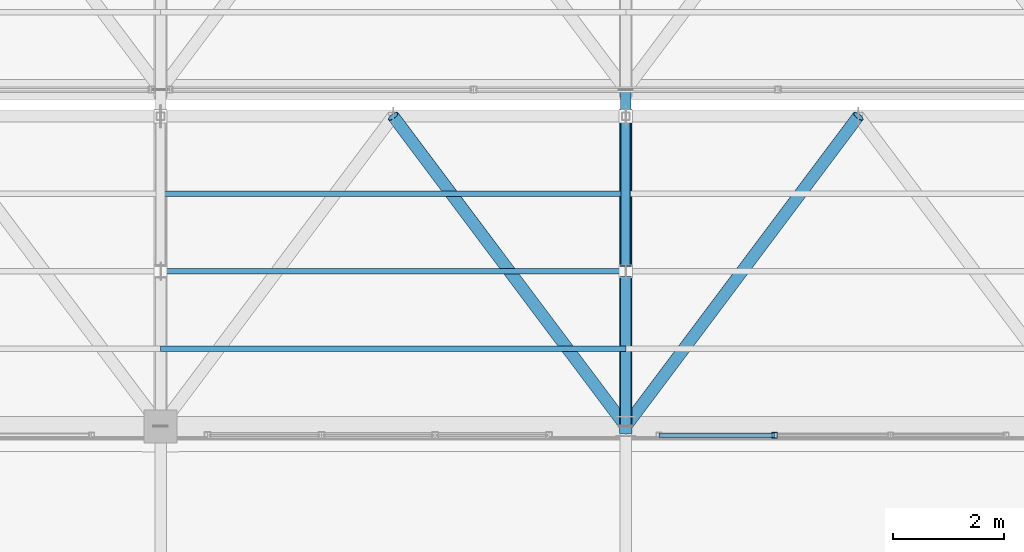
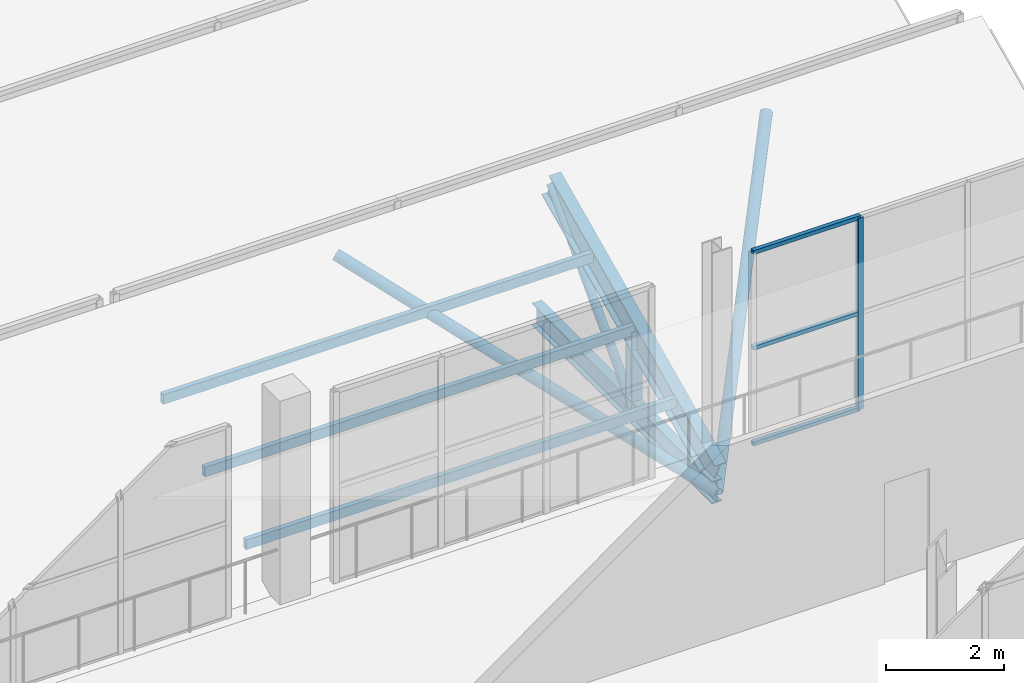
# One storey, part 97 of 217: 13 members, 1 element without a shape of its own.
"""IFC4 building model written with IfcOpenShell, lengths in metres."""

import ifcopenshell
import ifcopenshell.guid

model = None  # the IFC model being written
_history = None  # IfcOwnerHistory: only IFC2X3 demands one
_inside = {}  # id of a spatial element -> (the spatial element, [elements in it])
_under = {}  # id of a project, library or spatial element -> (it, [spatial elements below it])
_declared = {}  # id of a project -> (the project, [libraries it declares])
_typed = {}  # id of a type object -> (the type object, [elements of that type])
_made_of = {}  # id of a material, layer set ... -> (it, [elements and type objects made of it])


def new_model(schema):
    """Start an empty IFC model of exactly this schema.

    Asked for "IFC4X3", IfcOpenShell would pick the latest addendum, in which some entities
    have other attributes; the version numbers below select the first issue.
    IFC2X3 requires an IfcOwnerHistory on every rooted entity: one is made here for all.
    """
    global model, _history
    if schema == "IFC4X3":
        model = ifcopenshell.file(schema_version=(4, 3, 0, 0))
    else:
        model = ifcopenshell.file(schema=schema)
    _inside.clear()
    _under.clear()
    _declared.clear()
    _typed.clear()
    _made_of.clear()
    _history = None
    if model.schema == "IFC2X3":
        org = make("IfcOrganization", Name="unknown")
        user = make(
            "IfcPersonAndOrganization",
            ThePerson=make("IfcPerson", FamilyName="unknown"),
            TheOrganization=org,
        )
        app = make(
            "IfcApplication",
            ApplicationDeveloper=org,
            Version="unknown",
            ApplicationFullName="unknown",
            ApplicationIdentifier="unknown",
        )
        _history = make(
            "IfcOwnerHistory",
            OwningUser=user,
            OwningApplication=app,
            ChangeAction="ADDED",
            CreationDate=0,
        )
    return model


def make(cls, **values):
    """One entity of the class cls with the attributes given. An attribute that is None is left unset."""
    return model.create_entity(
        cls, **{name: value for name, value in values.items() if value is not None}
    )


def rooted(cls, **values):
    """An entity with a GlobalId (a new one), such as an element, a storey or a relation."""
    return make(cls, GlobalId=ifcopenshell.guid.new(), OwnerHistory=_history, **values)


def si_unit(unit_type, name, prefix=None):
    """IfcSIUnit, for example si_unit("LENGTHUNIT", "METRE", prefix="MILLI")."""
    return make("IfcSIUnit", UnitType=unit_type, Prefix=prefix, Name=name)


def assignment(units):
    """IfcUnitAssignment: the units of a project."""
    return None if units is None else make("IfcUnitAssignment", Units=units)


def point(xyz):
    """IfcCartesianPoint."""
    return None if xyz is None else make("IfcCartesianPoint", Coordinates=xyz)


def direction(xyz):
    """IfcDirection."""
    return None if xyz is None else make("IfcDirection", DirectionRatios=xyz)


def frame(location, z_axis=None, x_axis=None):
    """IfcAxis2Placement3D, a coordinate frame: its origin and axes. An axis left out is left unset."""
    return make(
        "IfcAxis2Placement3D",
        Location=point(location),
        Axis=direction(z_axis),
        RefDirection=direction(x_axis),
    )


def frame_2d(location, x_axis=None):
    """IfcAxis2Placement2D, a coordinate frame in the plane: its origin and x axis."""
    return make(
        "IfcAxis2Placement2D", Location=point(location), RefDirection=direction(x_axis)
    )


def origin():
    """The frame at (0, 0, 0) with its axes left unset."""
    return frame((0.0, 0.0, 0.0))


def origin_2d():
    """The frame at (0, 0) in the plane with its x axis left unset."""
    return frame_2d((0.0, 0.0))


def place(relative_to, where):
    """IfcLocalPlacement: puts the frame where relative to a parent placement (None: the world)."""
    return make(
        "IfcLocalPlacement", PlacementRelTo=relative_to, RelativePlacement=where
    )


def context(
    kind, dimensions, precision=None, world=None, true_north=None, identifier=None
):
    """IfcGeometricRepresentationContext, for example the 3D "Model" context."""
    return make(
        "IfcGeometricRepresentationContext",
        ContextIdentifier=identifier,
        ContextType=kind,
        CoordinateSpaceDimension=dimensions,
        Precision=precision,
        WorldCoordinateSystem=world,
        TrueNorth=true_north,
    )


def subcontext(parent, identifier, kind, view, scale=None):
    """IfcGeometricRepresentationSubContext, for example "Body" below "Model"."""
    return make(
        "IfcGeometricRepresentationSubContext",
        ContextIdentifier=identifier,
        ContextType=kind,
        ParentContext=parent,
        TargetScale=scale,
        TargetView=view,
    )


def project(units=None, contexts=None):
    """IfcProject with its units and contexts."""
    return rooted(
        "IfcProject",
        Name="project",
        RepresentationContexts=contexts,
        UnitsInContext=assignment(units),
    )


def spatial(cls, under=None, at=None, **own):
    """A site, building, storey or space (cls), placed at a placement, below another one or the project."""
    s = rooted(cls, ObjectPlacement=at, **own)
    if under is not None:
        _under.setdefault(under.id(), (under, []))[1].append(s)
    return s


def profile(cls, at=None, kind="AREA", **sizes):
    """A parametric profile (cls). Its sizes go by their IFC names, for example OverallWidth=200.0."""
    return make(cls, ProfileType=kind, Position=at, **sizes)


def hollow_rectangle(**sizes):
    """IfcRectangleHollowProfileDef."""
    return profile("IfcRectangleHollowProfileDef", **sizes)


def hollow_circle(**sizes):
    """IfcCircleHollowProfileDef."""
    return profile("IfcCircleHollowProfileDef", **sizes)


def i_section(**sizes):
    """IfcIShapeProfileDef."""
    return profile("IfcIShapeProfileDef", **sizes)


def extrude(swept, where, along, depth):
    """IfcExtrudedAreaSolid: the profile swept, set in the frame where, extruded along a direction by depth."""
    return make(
        "IfcExtrudedAreaSolid",
        SweptArea=swept,
        Position=where,
        ExtrudedDirection=direction(along),
        Depth=depth,
    )


def shape(context_of_items, identifier, shape_type, items):
    """IfcShapeRepresentation: the items that make up one representation, for example the "Body"."""
    return make(
        "IfcShapeRepresentation",
        ContextOfItems=context_of_items,
        RepresentationIdentifier=identifier,
        RepresentationType=shape_type,
        Items=items,
    )


def material(Name=None, Category=None):
    """IfcMaterial."""
    return make("IfcMaterial", Name=Name, Category=Category)


def material_profile(
    of_material, cross_section, Name=None, Category=None, Priority=None
):
    """IfcMaterialProfile: a cross section and its material."""
    return make(
        "IfcMaterialProfile",
        Name=Name,
        Material=of_material,
        Profile=cross_section,
        Priority=Priority,
        Category=Category,
    )


def profile_set(profiles, Name=None, composite=None):
    """IfcMaterialProfileSet."""
    return make(
        "IfcMaterialProfileSet",
        Name=Name,
        MaterialProfiles=profiles,
        CompositeProfile=composite,
    )


def made_of(thing, what):
    """Note that an element or type object is made of a material, layer set ...; save() writes the relation."""
    if what is not None:
        _made_of.setdefault(what.id(), (what, []))[1].append(thing)
    return thing


def type_object(cls, material=None, **own):
    """A type object (cls), such as IfcWallType, which elements share."""
    return made_of(rooted(cls, **own), material)


def element(
    cls,
    number,
    at=None,
    inside=None,
    cuts=None,
    type_object=None,
    material=None,
    context=None,
    identifier="Body",
    shape_type=None,
    held_by="IfcProductDefinitionShape",
    body=None,
    shapes=None,
    **own,
):
    """One element of the class cls, such as IfcWall. Its Tag is "e" and its number.

    at: its placement. inside: the storey or other place that contains it. cuts: it is an
    opening in that element (IfcRelVoidsElement). A single representation is given by context,
    identifier, shape_type and body (its items); several are given by shapes. held_by: the class
    of the entity that holds the representations. save() writes the other relations.
    """
    e = rooted(cls, Tag="e%d" % number, ObjectPlacement=at, **own)
    if body is not None:
        shapes = [shape(context, identifier, shape_type, body)]
    if shapes is not None:
        e.Representation = make(held_by, Representations=shapes)
    if inside is not None:
        _inside.setdefault(inside.id(), (inside, []))[1].append(e)
    if cuts is not None:
        rooted(
            "IfcRelVoidsElement", RelatingBuildingElement=cuts, RelatedOpeningElement=e
        )
    if type_object is not None:
        _typed.setdefault(type_object.id(), (type_object, []))[1].append(e)
    return made_of(e, material)


def aggregate(whole, parts):
    """IfcRelAggregates: a whole, such as a stair, and the parts it consists of."""
    return rooted("IfcRelAggregates", RelatingObject=whole, RelatedObjects=parts)


def save(model, path):
    """Write the relations noted so far, then the file.

    IfcRelAggregates (storeys below a building ...), IfcRelContainedInSpatialStructure (elements
    in a storey), IfcRelDefinesByType, IfcRelAssociatesMaterial and IfcRelDeclares: one each for
    every whole, place, type object, material and project.
    """
    for whole, parts in _under.values():
        aggregate(whole, parts)
    for where, things in _inside.values():
        rooted(
            "IfcRelContainedInSpatialStructure",
            RelatedElements=things,
            RelatingStructure=where,
        )
    for kind, things in _typed.values():
        rooted("IfcRelDefinesByType", RelatedObjects=things, RelatingType=kind)
    for what, things in _made_of.values():
        rooted("IfcRelAssociatesMaterial", RelatedObjects=things, RelatingMaterial=what)
    for by, libraries in _declared.values():
        rooted("IfcRelDeclares", RelatingContext=by, RelatedDefinitions=libraries)
    model.write(path)


model = new_model("IFC4")

# Units and contexts
model_context = context("Model", 3, precision=1e-05, world=origin(), true_north=direction((0.0, 1.0)))
body_context = subcontext(model_context, "Body", "Model", "MODEL_VIEW")
ifc_project = project(units=[si_unit("LENGTHUNIT", "METRE"), si_unit("AREAUNIT", "SQUARE_METRE"), si_unit("VOLUMEUNIT", "CUBIC_METRE"), si_unit("PLANEANGLEUNIT", "RADIAN"), si_unit("MASSUNIT", "GRAM", prefix="KILO")], contexts=[model_context])

# Site, building, storey
site_placement = place(None, origin())
site = spatial("IfcSite", under=ifc_project, at=site_placement, CompositionType="ELEMENT")
building_placement = place(site_placement, origin())
building = spatial("IfcBuilding", under=site, at=building_placement, Name="Zuvorla Pavilion Media Centre", CompositionType="ELEMENT")
storey_placement = place(building_placement, frame((0.0, 0.0, 9.60009765625)))
storey = spatial("IfcBuildingStorey", under=building, at=storey_placement, Name="L02", CompositionType="ELEMENT", Elevation=9.60009765625)

# Curtain wall, members
ifc_material_1 = material(Name="Unitised anodised aluminium and solar glass curtain wall", Category="aluminium")
curtain_wall_type = type_object("IfcCurtainWallType", Name="CW-SYS-10", PredefinedType="USERDEFINED", material=ifc_material_1)
curtain_wall_placement = place(storey_placement, origin())
curtain_wall = element("IfcCurtainWall", 1, at=curtain_wall_placement, inside=storey, type_object=curtain_wall_type, Name="L02 curtain wall CW10 15", ObjectType="CURTAIN WALL", PredefinedType="USERDEFINED")
ifc_material_2 = material(Name="Anodised aluminium 6063-T6", Category="aluminium")
ifc_material_profile_1 = material_profile(ifc_material_2, hollow_rectangle(XDim=0.10009765625, YDim=0.10009765625, WallThickness=0.00439453125, at=origin_2d()), Name="ALU MULL 100x100")
ifc_profile_set_1 = profile_set([ifc_material_profile_1], Name="Anodised aluminium 6063-T6")
member_type_1 = type_object("IfcMemberType", Name="CW-MULL-100", PredefinedType="MULLION", material=ifc_profile_set_1)
member_1_placement = place(storey_placement, frame((128.28955078125, 89.43994140625, 0.0), z_axis=(0.0, 0.0, 1.0), x_axis=(1.0, 0.0, 0.0)))
member_1 = element("IfcMember", 2, at=member_1_placement, type_object=member_type_1, Name="CW10 mullion 3", PredefinedType="MULLION", context=body_context, shape_type="SweptSolid", body=[
    extrude(hollow_rectangle(XDim=0.10009765625, YDim=0.10009765625, WallThickness=0.00439453125, at=origin_2d()), origin(), (0.0, 0.0, 1.0), 3.949951171875),
])
ifc_material_profile_2 = material_profile(ifc_material_2, hollow_rectangle(XDim=0.080078125, YDim=0.080078125, WallThickness=0.00390625, at=origin_2d()), Name="ALU TRAN 80x80")
ifc_profile_set_2 = profile_set([ifc_material_profile_2], Name="Anodised aluminium 6063-T6")
member_type_2 = type_object("IfcMemberType", Name="CW-TRAN-80", PredefinedType="USERDEFINED", material=ifc_profile_set_2)
member_2_placement = place(storey_placement, frame((128.28955078125, 89.43994140625, 0.0), z_axis=(-1.0, 0.0, 0.0), x_axis=(0.0, -1.0, 0.0)))
member_2 = element("IfcMember", 3, at=member_2_placement, type_object=member_type_2, Name="CW10 transom 3.1", ObjectType="TRANSOM", PredefinedType="USERDEFINED", context=body_context, shape_type="SweptSolid", body=[
    extrude(hollow_rectangle(XDim=0.080078125, YDim=0.080078125, WallThickness=0.00390625, at=origin_2d()), origin(), (0.0, 0.0, 1.0), 2.08935546875),
])
member_3_placement = place(storey_placement, frame((128.28955078125, 89.43994140625, 1.974853515625), z_axis=(-1.0, 0.0, 0.0), x_axis=(0.0, -1.0, 0.0)))
member_3 = element("IfcMember", 4, at=member_3_placement, type_object=member_type_2, Name="CW10 transom 3.2", ObjectType="TRANSOM", PredefinedType="USERDEFINED", context=body_context, shape_type="SweptSolid", body=[
    extrude(hollow_rectangle(XDim=0.080078125, YDim=0.080078125, WallThickness=0.00390625, at=origin_2d()), origin(), (0.0, 0.0, 1.0), 2.08935546875),
])
member_4_placement = place(storey_placement, frame((128.28955078125, 89.43994140625, 3.949951171875), z_axis=(-1.0, 0.0, 0.0), x_axis=(0.0, -1.0, 0.0)))
member_4 = element("IfcMember", 5, at=member_4_placement, type_object=member_type_2, Name="CW10 transom 3.3", ObjectType="TRANSOM", PredefinedType="USERDEFINED", context=body_context, shape_type="SweptSolid", body=[
    extrude(hollow_rectangle(XDim=0.080078125, YDim=0.080078125, WallThickness=0.00390625, at=origin_2d()), origin(), (0.0, 0.0, 1.0), 2.08935546875),
])
aggregate(curtain_wall, [member_1, member_2, member_3, member_4])

# Members
ifc_material_3 = material(Name="Steel S355", Category="steel")
ifc_material_profile_3 = material_profile(ifc_material_3, hollow_circle(Radius=0.084228515625, WallThickness=0.008056640625, at=origin_2d()), Name="CHS 168.3x8")
ifc_profile_set_3 = profile_set([ifc_material_profile_3], Name="Steel S355")
member_type_3 = type_object("IfcMemberType", Name="MEM-BRC-CHS168", PredefinedType="BRACE", material=ifc_profile_set_3)
member_5_placement = place(storey_placement, frame((125.60009765625, 92.39990234375, -0.880126953125), z_axis=(0.0, 0.68676242614, 0.726881950555), x_axis=(-1.0, 0.0, 0.0)))
element("IfcMember", 6, at=member_5_placement, inside=storey, type_object=member_type_3, Name="L02 diagonal brace TB03 71", PredefinedType="BRACE", context=body_context, shape_type="SweptSolid", body=[
    extrude(hollow_circle(Radius=0.084228515625, WallThickness=0.008056640625, at=origin_2d()), origin(), (0.0, 0.0, 1.0), 4.0771484375),
])
ifc_material_profile_4 = material_profile(ifc_material_3, hollow_circle(Radius=0.109619140625, WallThickness=0.010009765625, at=origin_2d()), Name="CHS 219.1x10")
ifc_profile_set_4 = profile_set([ifc_material_profile_4], Name="Steel S355")
member_type_4 = type_object("IfcMemberType", Name="MEM-BRC-CHS219", PredefinedType="BRACE", material=ifc_profile_set_4)
member_6_placement = place(storey_placement, frame((121.39990234375, 95.199951171875, 2.08349609375), z_axis=(0.552546982264, -0.73667578076, -0.389872577174), x_axis=(0.799979073174, 0.600027901421, 0.0)))
element("IfcMember", 7, at=member_6_placement, inside=storey, type_object=member_type_4, Name="L02 diagonal brace TB02 116", PredefinedType="BRACE", context=body_context, shape_type="SweptSolid", body=[
    extrude(hollow_circle(Radius=0.109619140625, WallThickness=0.010009765625, at=origin_2d()), origin(), (0.0, 0.0, 1.0), 7.6015625),
])
member_7_placement = place(storey_placement, frame((125.60009765625, 89.60009765625, -0.880126953125), z_axis=(0.552524670006, 0.736688854033, 0.389879495972), x_axis=(-0.799995814625, 0.600005580459, 0.0)))
element("IfcMember", 8, at=member_7_placement, inside=storey, type_object=member_type_4, Name="L02 diagonal brace TB02 121", PredefinedType="BRACE", context=body_context, shape_type="SweptSolid", body=[
    extrude(hollow_circle(Radius=0.109619140625, WallThickness=0.010009765625, at=origin_2d()), origin(), (0.0, 0.0, 1.0), 7.601318359375),
])
ifc_material_profile_5 = material_profile(ifc_material_3, i_section(OverallWidth=0.19140625, OverallDepth=0.4599609375, WebThickness=0.010009765625, FlangeThickness=0.01611328125, FilletRadius=0.01025390625, at=origin_2d()), Name="UB 457x191x82")
ifc_profile_set_5 = profile_set([ifc_material_profile_5], Name="Steel S355")
member_type_5 = type_object("IfcMemberType", Name="MEM-CHD-UB457", PredefinedType="CHORD", material=ifc_profile_set_5)
member_8_placement = place(storey_placement, frame((125.60009765625, 89.60009765625, -0.880126953125), z_axis=(0.0, 1.0, 0.0), x_axis=(-1.0, 0.0, 0.0)))
element("IfcMember", 9, at=member_8_placement, inside=storey, type_object=member_type_5, Name="L02 chord TC03 68", PredefinedType="CHORD", context=body_context, shape_type="SweptSolid", body=[
    extrude(i_section(OverallWidth=0.19140625, OverallDepth=0.4599609375, WebThickness=0.010009765625, FlangeThickness=0.01611328125, FilletRadius=0.01025390625, at=origin_2d()), origin(), (0.0, 0.0, 1.0), 6.079833984375),
])
ifc_material_profile_6 = material_profile(ifc_material_3, i_section(OverallWidth=0.22900390625, OverallDepth=0.6123046875, WebThickness=0.011962890625, FlangeThickness=0.01953125, FilletRadius=0.0126953125, at=origin_2d()), Name="UB 610x229x125")
ifc_profile_set_6 = profile_set([ifc_material_profile_6], Name="Steel S355")
member_type_6 = type_object("IfcMemberType", Name="MEM-CHD-UB610", PredefinedType="CHORD", material=ifc_profile_set_6)
member_9_placement = place(storey_placement, frame((125.60009765625, 89.60009765625, -0.5166015625), z_axis=(0.0, 0.906998718654, 0.421133380724), x_axis=(-1.0, 0.0, 0.0)))
element("IfcMember", 10, at=member_9_placement, inside=storey, type_object=member_type_6, Name="L02 chord TC01 69", PredefinedType="CHORD", context=body_context, shape_type="SweptSolid", body=[
    extrude(i_section(OverallWidth=0.22900390625, OverallDepth=0.6123046875, WebThickness=0.011962890625, FlangeThickness=0.01953125, FilletRadius=0.0126953125, at=origin_2d()), origin(), (0.0, 0.0, 1.0), 6.174072265625),
])
ifc_material_profile_7 = material_profile(ifc_material_3, hollow_rectangle(XDim=0.10009765625, YDim=0.199951171875, WallThickness=0.008056640625, at=origin_2d()), Name="RHS 200x100x8")
ifc_profile_set_7 = profile_set([ifc_material_profile_7], Name="Steel S355")
member_type_7 = type_object("IfcMemberType", Name="MEM-PUR-RHS200", PredefinedType="PURLIN", material=ifc_profile_set_7)
for number, where, z_axis, x_axis, name in (
    (11, (117.199951171875, 91.0, 0.133544921875), (1.0, 0.0, 0.0), (0.0, 1.0, 0.0), "L02 purlin PR01 117"),
    (12, (117.199951171875, 92.39990234375, 0.783447265625), (1.0, 0.0, 0.0), (0.0, 1.0, 0.0), "L02 purlin PR01 118"),
    (13, (117.199951171875, 93.800048828125, 1.43359375), (1.0, 0.0, 0.0), (0.0, 1.0, 0.0), "L02 purlin PR01 119"),
):
    element("IfcMember", number, at=place(storey_placement, frame(where, z_axis=z_axis, x_axis=x_axis)), inside=storey, type_object=member_type_7, Name=name, PredefinedType="PURLIN", context=body_context, shape_type="SweptSolid", body=[
        extrude(hollow_rectangle(XDim=0.10009765625, YDim=0.199951171875, WallThickness=0.008056640625, at=origin_2d()), origin(), (0.0, 0.0, 1.0), 8.400146484375),
    ])
ifc_material_profile_8 = material_profile(ifc_material_3, i_section(OverallWidth=0.205810546875, OverallDepth=0.209716796875, WebThickness=0.009521484375, FlangeThickness=0.01416015625, FilletRadius=0.01025390625, at=origin_2d()), Name="UC 203x203x60")
ifc_profile_set_8 = profile_set([ifc_material_profile_8], Name="Steel S355")
member_type_8 = type_object("IfcMemberType", Name="MEM-STR-UC203", PredefinedType="STRUT", material=ifc_profile_set_8)
member_10_placement = place(storey_placement, frame((125.60009765625, 92.39990234375, -0.880126953125), z_axis=(0.0, 0.0, 1.0), x_axis=(1.0, 0.0, 0.0)))
element("IfcMember", 14, at=member_10_placement, inside=storey, type_object=member_type_8, Name="L02 vertical strut TS02 72", PredefinedType="STRUT", context=body_context, shape_type="SweptSolid", body=[
    extrude(i_section(OverallWidth=0.205810546875, OverallDepth=0.209716796875, WebThickness=0.009521484375, FlangeThickness=0.01416015625, FilletRadius=0.01025390625, at=origin_2d()), origin(), (0.0, 0.0, 1.0), 1.66357421875),
])

save(model, "model.ifc")
